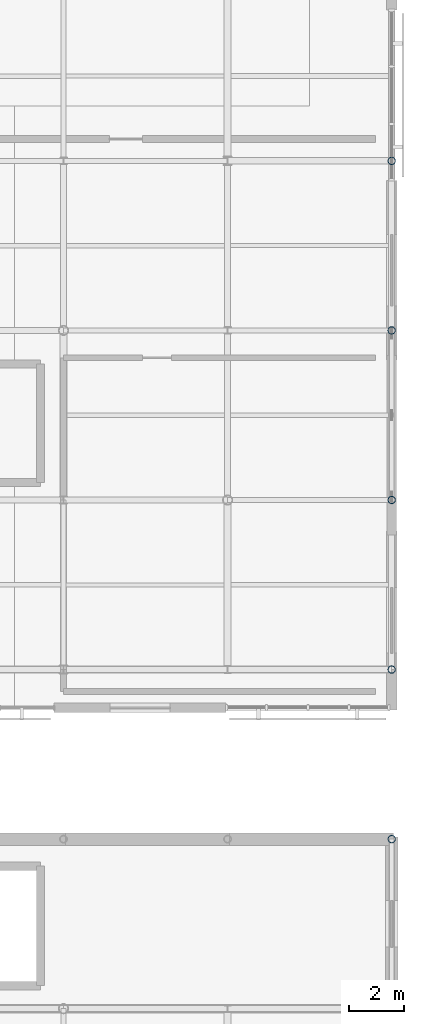
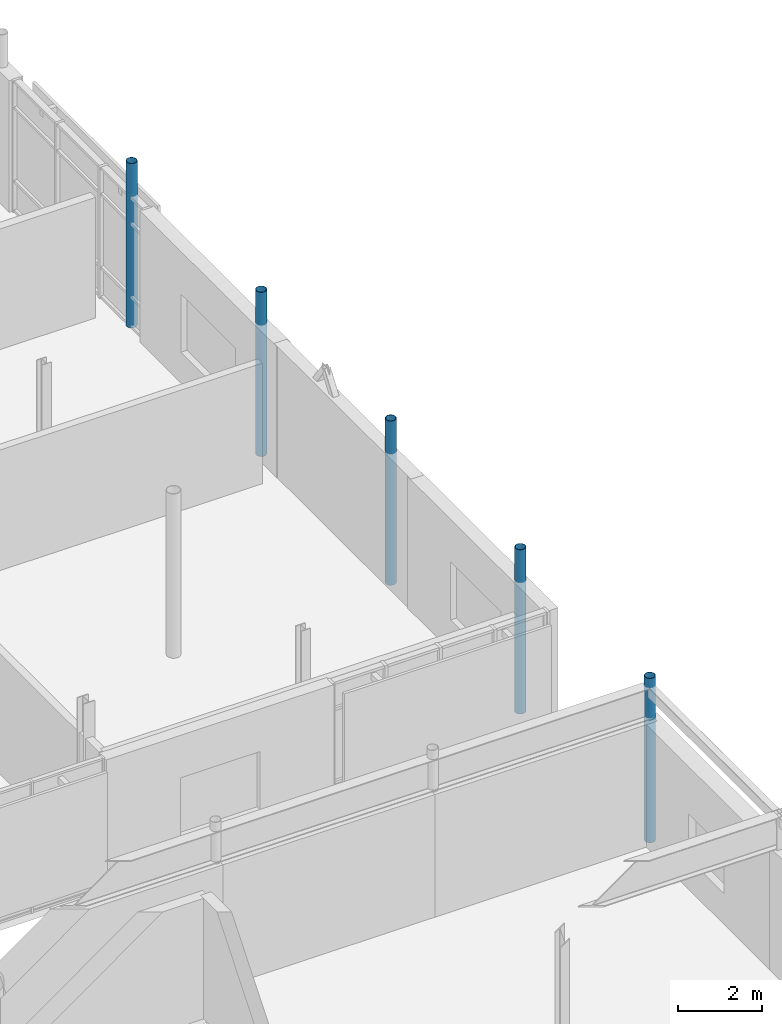
# One storey, part 15 of 84: 5 columns.
"""IFC4 building model written with IfcOpenShell, lengths in metres."""

from ifc_helpers import new_model, si_unit, direction, frame, origin, origin_2d, place, context, subcontext, project, spatial, hollow_circle, extrude, material, material_profile, profile_set, type_object, element, save


model = new_model("IFC4")

# Units and contexts
model_context = context("Model", 3, precision=1e-05, world=origin(), true_north=direction((0.0, 1.0)))
body_context = subcontext(model_context, "Body", "Model", "MODEL_VIEW")
ifc_project = project(units=[si_unit("LENGTHUNIT", "METRE"), si_unit("AREAUNIT", "SQUARE_METRE"), si_unit("VOLUMEUNIT", "CUBIC_METRE"), si_unit("PLANEANGLEUNIT", "RADIAN"), si_unit("MASSUNIT", "GRAM", prefix="KILO")], contexts=[model_context])

# Site, building, storey
site_placement = place(None, origin())
site = spatial("IfcSite", under=ifc_project, at=site_placement, CompositionType="ELEMENT")
building_placement = place(site_placement, origin())
building = spatial("IfcBuilding", under=site, at=building_placement, Name="Mirzam Square Science Centre", CompositionType="ELEMENT")
storey_placement = place(building_placement, frame((0.0, 0.0, 10.800048828125)))
storey = spatial("IfcBuildingStorey", under=building, at=storey_placement, Name="L02", CompositionType="ELEMENT", Elevation=10.800048828125)

# Columns
ifc_material = material(Name="Steel S355", Category="steel")
ifc_material_profile = material_profile(ifc_material, hollow_circle(Radius=0.136474609375, WallThickness=0.010009765625, at=origin_2d()), Name="273.0x10.0CHS")
ifc_profile_set = profile_set([ifc_material_profile], Name="Steel S355")
column_type = type_object("IfcColumnType", Name="COL-CHS273", PredefinedType="COLUMN", material=ifc_profile_set)
for number, where, z_axis, x_axis, name in (
    (1, (162.0, 37.199951171875, 0.0), (0.0, 0.0, 1.0), (1.0, 0.0, 0.0), "L02 column G28-07"),
    (2, (162.0, 43.39990234375, 0.0), (0.0, 0.0, 1.0), (1.0, 0.0, 0.0), "L02 column G28-08"),
    (3, (162.0, 49.60009765625, 0.0), (0.0, 0.0, 1.0), (1.0, 0.0, 0.0), "L02 column G28-09"),
    (4, (162.0, 55.800048828125, 0.0), (0.0, 0.0, 1.0), (1.0, 0.0, 0.0), "L02 column G28-10"),
    (5, (162.0, 62.0, 0.0), (0.0, 0.0, 1.0), (1.0, 0.0, 0.0), "L02 column G28-11"),
):
    element("IfcColumn", number, at=place(storey_placement, frame(where, z_axis=z_axis, x_axis=x_axis)), inside=storey, type_object=column_type, Name=name, PredefinedType="COLUMN", context=body_context, shape_type="SweptSolid", body=[
        extrude(hollow_circle(Radius=0.136474609375, WallThickness=0.010009765625, at=origin_2d()), origin(), (0.0, 0.0, 1.0), 4.800048828125),
    ])

save(model, "model.ifc")
